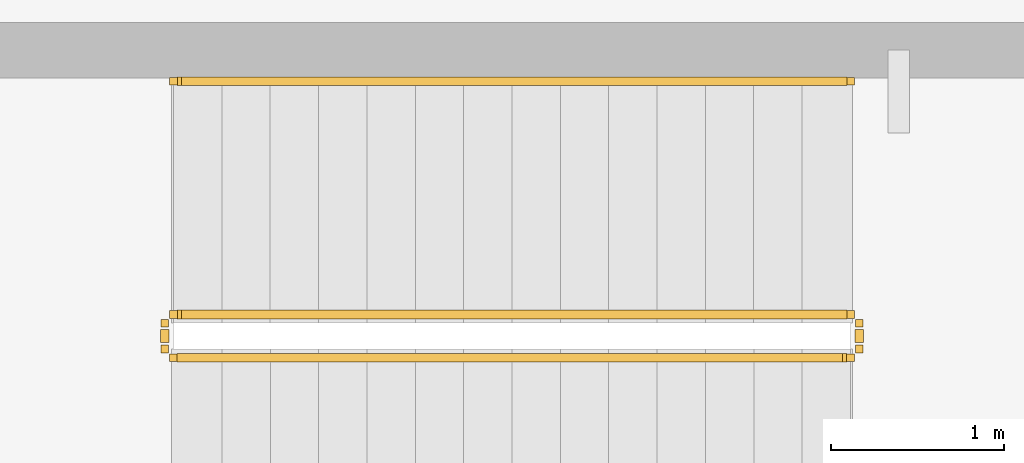
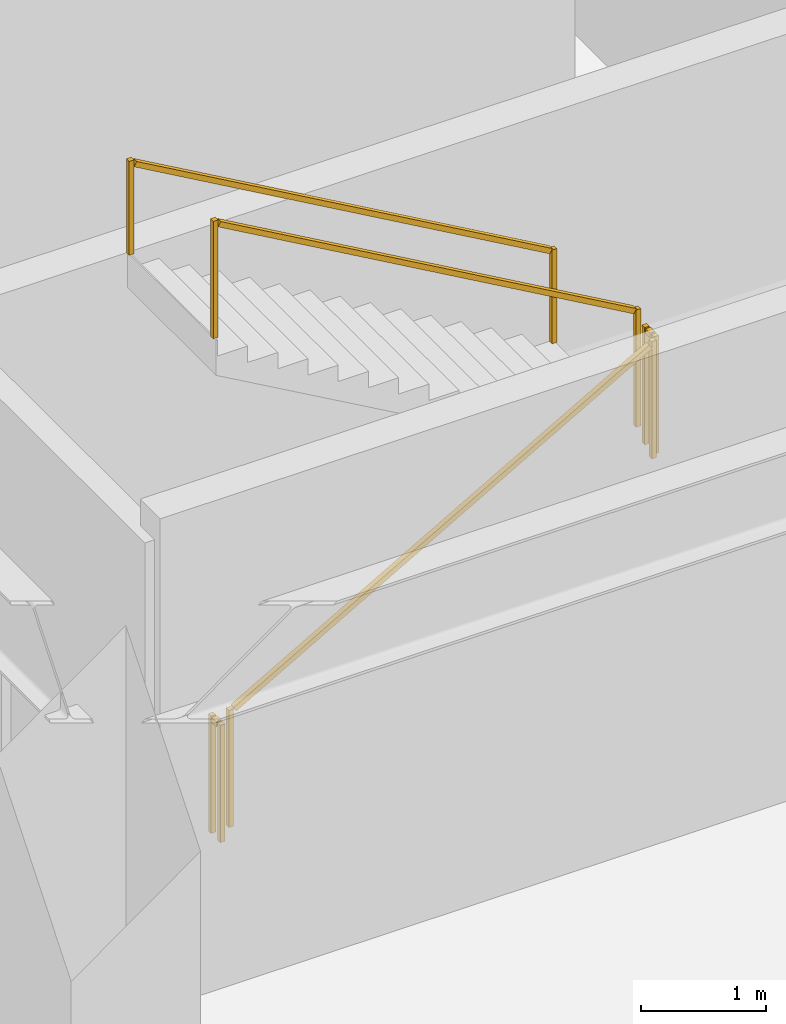
# One storey, part 13 of 13: 5 railings.
"""IFC4 building model written with IfcOpenShell, lengths in metres."""

import ifcopenshell
import ifcopenshell.guid

model = None  # the IFC model being written
_history = None  # IfcOwnerHistory: only IFC2X3 demands one
_inside = {}  # id of a spatial element -> (the spatial element, [elements in it])
_under = {}  # id of a project, library or spatial element -> (it, [spatial elements below it])
_declared = {}  # id of a project -> (the project, [libraries it declares])
_typed = {}  # id of a type object -> (the type object, [elements of that type])
_made_of = {}  # id of a material, layer set ... -> (it, [elements and type objects made of it])


def new_model(schema):
    """Start an empty IFC model of exactly this schema.

    Asked for "IFC4X3", IfcOpenShell would pick the latest addendum, in which some entities
    have other attributes; the version numbers below select the first issue.
    IFC2X3 requires an IfcOwnerHistory on every rooted entity: one is made here for all.
    """
    global model, _history
    if schema == "IFC4X3":
        model = ifcopenshell.file(schema_version=(4, 3, 0, 0))
    else:
        model = ifcopenshell.file(schema=schema)
    _inside.clear()
    _under.clear()
    _declared.clear()
    _typed.clear()
    _made_of.clear()
    _history = None
    if model.schema == "IFC2X3":
        org = make("IfcOrganization", Name="unknown")
        user = make(
            "IfcPersonAndOrganization",
            ThePerson=make("IfcPerson", FamilyName="unknown"),
            TheOrganization=org,
        )
        app = make(
            "IfcApplication",
            ApplicationDeveloper=org,
            Version="unknown",
            ApplicationFullName="unknown",
            ApplicationIdentifier="unknown",
        )
        _history = make(
            "IfcOwnerHistory",
            OwningUser=user,
            OwningApplication=app,
            ChangeAction="ADDED",
            CreationDate=0,
        )
    return model


def make(cls, **values):
    """One entity of the class cls with the attributes given. An attribute that is None is left unset."""
    return model.create_entity(
        cls, **{name: value for name, value in values.items() if value is not None}
    )


def rooted(cls, **values):
    """An entity with a GlobalId (a new one), such as an element, a storey or a relation."""
    return make(cls, GlobalId=ifcopenshell.guid.new(), OwnerHistory=_history, **values)


def si_unit(unit_type, name, prefix=None):
    """IfcSIUnit, for example si_unit("LENGTHUNIT", "METRE", prefix="MILLI")."""
    return make("IfcSIUnit", UnitType=unit_type, Prefix=prefix, Name=name)


def assignment(units):
    """IfcUnitAssignment: the units of a project."""
    return None if units is None else make("IfcUnitAssignment", Units=units)


def point(xyz):
    """IfcCartesianPoint."""
    return None if xyz is None else make("IfcCartesianPoint", Coordinates=xyz)


def direction(xyz):
    """IfcDirection."""
    return None if xyz is None else make("IfcDirection", DirectionRatios=xyz)


def frame(location, z_axis=None, x_axis=None):
    """IfcAxis2Placement3D, a coordinate frame: its origin and axes. An axis left out is left unset."""
    return make(
        "IfcAxis2Placement3D",
        Location=point(location),
        Axis=direction(z_axis),
        RefDirection=direction(x_axis),
    )


def frame_2d(location, x_axis=None):
    """IfcAxis2Placement2D, a coordinate frame in the plane: its origin and x axis."""
    return make(
        "IfcAxis2Placement2D", Location=point(location), RefDirection=direction(x_axis)
    )


def origin():
    """The frame at (0, 0, 0) with its axes left unset."""
    return frame((0.0, 0.0, 0.0))


def origin_2d():
    """The frame at (0, 0) in the plane with its x axis left unset."""
    return frame_2d((0.0, 0.0))


def place(relative_to, where):
    """IfcLocalPlacement: puts the frame where relative to a parent placement (None: the world)."""
    return make(
        "IfcLocalPlacement", PlacementRelTo=relative_to, RelativePlacement=where
    )


def context(
    kind, dimensions, precision=None, world=None, true_north=None, identifier=None
):
    """IfcGeometricRepresentationContext, for example the 3D "Model" context."""
    return make(
        "IfcGeometricRepresentationContext",
        ContextIdentifier=identifier,
        ContextType=kind,
        CoordinateSpaceDimension=dimensions,
        Precision=precision,
        WorldCoordinateSystem=world,
        TrueNorth=true_north,
    )


def subcontext(parent, identifier, kind, view, scale=None):
    """IfcGeometricRepresentationSubContext, for example "Body" below "Model"."""
    return make(
        "IfcGeometricRepresentationSubContext",
        ContextIdentifier=identifier,
        ContextType=kind,
        ParentContext=parent,
        TargetScale=scale,
        TargetView=view,
    )


def project(units=None, contexts=None):
    """IfcProject with its units and contexts."""
    return rooted(
        "IfcProject",
        Name="project",
        RepresentationContexts=contexts,
        UnitsInContext=assignment(units),
    )


def spatial(cls, under=None, at=None, **own):
    """A site, building, storey or space (cls), placed at a placement, below another one or the project."""
    s = rooted(cls, ObjectPlacement=at, **own)
    if under is not None:
        _under.setdefault(under.id(), (under, []))[1].append(s)
    return s


def profile(cls, at=None, kind="AREA", **sizes):
    """A parametric profile (cls). Its sizes go by their IFC names, for example OverallWidth=200.0."""
    return make(cls, ProfileType=kind, Position=at, **sizes)


def rectangle(**sizes):
    """IfcRectangleProfileDef."""
    return profile("IfcRectangleProfileDef", **sizes)


def extrude(swept, where, along, depth):
    """IfcExtrudedAreaSolid: the profile swept, set in the frame where, extruded along a direction by depth."""
    return make(
        "IfcExtrudedAreaSolid",
        SweptArea=swept,
        Position=where,
        ExtrudedDirection=direction(along),
        Depth=depth,
    )


def shape(context_of_items, identifier, shape_type, items):
    """IfcShapeRepresentation: the items that make up one representation, for example the "Body"."""
    return make(
        "IfcShapeRepresentation",
        ContextOfItems=context_of_items,
        RepresentationIdentifier=identifier,
        RepresentationType=shape_type,
        Items=items,
    )


def material(Name=None, Category=None):
    """IfcMaterial."""
    return make("IfcMaterial", Name=Name, Category=Category)


def made_of(thing, what):
    """Note that an element or type object is made of a material, layer set ...; save() writes the relation."""
    if what is not None:
        _made_of.setdefault(what.id(), (what, []))[1].append(thing)
    return thing


def type_object(cls, material=None, **own):
    """A type object (cls), such as IfcWallType, which elements share."""
    return made_of(rooted(cls, **own), material)


def element(
    cls,
    number,
    at=None,
    inside=None,
    cuts=None,
    type_object=None,
    material=None,
    context=None,
    identifier="Body",
    shape_type=None,
    held_by="IfcProductDefinitionShape",
    body=None,
    shapes=None,
    **own,
):
    """One element of the class cls, such as IfcWall. Its Tag is "e" and its number.

    at: its placement. inside: the storey or other place that contains it. cuts: it is an
    opening in that element (IfcRelVoidsElement). A single representation is given by context,
    identifier, shape_type and body (its items); several are given by shapes. held_by: the class
    of the entity that holds the representations. save() writes the other relations.
    """
    e = rooted(cls, Tag="e%d" % number, ObjectPlacement=at, **own)
    if body is not None:
        shapes = [shape(context, identifier, shape_type, body)]
    if shapes is not None:
        e.Representation = make(held_by, Representations=shapes)
    if inside is not None:
        _inside.setdefault(inside.id(), (inside, []))[1].append(e)
    if cuts is not None:
        rooted(
            "IfcRelVoidsElement", RelatingBuildingElement=cuts, RelatedOpeningElement=e
        )
    if type_object is not None:
        _typed.setdefault(type_object.id(), (type_object, []))[1].append(e)
    return made_of(e, material)


def aggregate(whole, parts):
    """IfcRelAggregates: a whole, such as a stair, and the parts it consists of."""
    return rooted("IfcRelAggregates", RelatingObject=whole, RelatedObjects=parts)


def save(model, path):
    """Write the relations noted so far, then the file.

    IfcRelAggregates (storeys below a building ...), IfcRelContainedInSpatialStructure (elements
    in a storey), IfcRelDefinesByType, IfcRelAssociatesMaterial and IfcRelDeclares: one each for
    every whole, place, type object, material and project.
    """
    for whole, parts in _under.values():
        aggregate(whole, parts)
    for where, things in _inside.values():
        rooted(
            "IfcRelContainedInSpatialStructure",
            RelatedElements=things,
            RelatingStructure=where,
        )
    for kind, things in _typed.values():
        rooted("IfcRelDefinesByType", RelatedObjects=things, RelatingType=kind)
    for what, things in _made_of.values():
        rooted("IfcRelAssociatesMaterial", RelatedObjects=things, RelatingMaterial=what)
    for by, libraries in _declared.values():
        rooted("IfcRelDeclares", RelatingContext=by, RelatedDefinitions=libraries)
    model.write(path)


model = new_model("IFC4")

# Units and contexts
model_context = context("Model", 3, precision=1e-05, world=origin(), true_north=direction((0.0, 1.0)))
body_context = subcontext(model_context, "Body", "Model", "MODEL_VIEW")
ifc_project = project(units=[si_unit("LENGTHUNIT", "METRE"), si_unit("AREAUNIT", "SQUARE_METRE"), si_unit("VOLUMEUNIT", "CUBIC_METRE"), si_unit("PLANEANGLEUNIT", "RADIAN"), si_unit("MASSUNIT", "GRAM", prefix="KILO")], contexts=[model_context])

# Site, building, storey
site_placement = place(None, origin())
site = spatial("IfcSite", under=ifc_project, at=site_placement, CompositionType="ELEMENT")
building_placement = place(site_placement, origin())
building = spatial("IfcBuilding", under=site, at=building_placement, Name="Yunling Apex Tower", CompositionType="ELEMENT")
storey_placement = place(building_placement, frame((0.0, 0.0, -4.800048828125)))
storey = spatial("IfcBuildingStorey", under=building, at=storey_placement, Name="B01", CompositionType="ELEMENT", Elevation=-4.800048828125)

# Railings
ifc_material_1 = material(Name="Steel Q355B", Category="steel")
railing_type_1 = type_object("IfcRailingType", Name="RL-GRD-1150", PredefinedType="GUARDRAIL", material=ifc_material_1)
railing_1_placement = place(storey_placement, frame((25.35009765625, 17.0, 0.16015625)))
element("IfcRailing", 1, at=railing_1_placement, inside=storey, type_object=railing_type_1, Name="B01 ST-P2 stair guard 1", PredefinedType="GUARDRAIL", context=body_context, shape_type="SweptSolid", body=[
    extrude(rectangle(XDim=0.0439453125, YDim=0.0439453125, at=origin_2d()), origin(), (0.0, 0.0, 1.0), 1.14990234375),
    extrude(rectangle(XDim=0.0439453125, YDim=0.0439453125, at=origin_2d()), frame((3.919921875, 0.0, 2.239990234375)), (0.0, 0.0, 1.0), 1.14990234375),
    extrude(rectangle(XDim=0.050048828125, YDim=0.050048828125, at=origin_2d()), frame((0.033203125, 0.0, 1.143798828125), z_axis=(0.868239814368, 0.0, 0.496144761885), x_axis=(0.0, 1.0, 0.0)), (0.0, 0.0, 1.0), 4.438232421875),
])
railing_2_placement = place(storey_placement, frame((29.320068359375, 17.050048828125, 2.400146484375)))
element("IfcRailing", 2, at=railing_2_placement, inside=storey, type_object=railing_type_1, Name="B01 ST-P2 stair guard 2", PredefinedType="GUARDRAIL", context=body_context, shape_type="SweptSolid", body=[
    extrude(rectangle(XDim=0.0439453125, YDim=0.0439453125, at=origin_2d()), origin(), (0.0, 0.0, 1.0), 1.14990234375),
    extrude(rectangle(XDim=0.0439453125, YDim=0.0439453125, at=origin_2d()), frame((0.0, 0.14990234375, 0.0)), (0.0, 0.0, 1.0), 1.14990234375),
    extrude(rectangle(XDim=0.050048828125, YDim=0.050048828125, at=origin_2d()), frame((0.0, 0.038330078125, 1.125), z_axis=(0.0, 1.0, 0.0), x_axis=(-1.0, 0.0, 0.0)), (0.0, 0.0, 1.0), 0.0732421875),
])
railing_3_placement = place(storey_placement, frame((29.27001953125, 17.25, 2.56005859375)))
element("IfcRailing", 3, at=railing_3_placement, inside=storey, type_object=railing_type_1, Name="B01 ST-P2 stair guard 3", PredefinedType="GUARDRAIL", context=body_context, shape_type="SweptSolid", body=[
    extrude(rectangle(XDim=0.0439453125, YDim=0.0439453125, at=origin_2d()), origin(), (0.0, 0.0, 1.0), 1.14990234375),
    extrude(rectangle(XDim=0.0439453125, YDim=0.0439453125, at=origin_2d()), frame((-3.919921875, 0.0, 2.239990234375)), (0.0, 0.0, 1.0), 1.14990234375),
    extrude(rectangle(XDim=0.050048828125, YDim=0.050048828125, at=origin_2d()), frame((-0.033203125, 0.0, 1.143798828125), z_axis=(-0.868239814368, 0.0, 0.496144761885), x_axis=(0.0, -1.0, 0.0)), (0.0, 0.0, 1.0), 4.438232421875),
])
railing_4_placement = place(storey_placement, frame((25.300048828125, 17.050048828125, 0.0)))
element("IfcRailing", 4, at=railing_4_placement, inside=storey, type_object=railing_type_1, Name="B01 ST-P2 stair guard 4", PredefinedType="GUARDRAIL", context=body_context, shape_type="SweptSolid", body=[
    extrude(rectangle(XDim=0.0439453125, YDim=0.0439453125, at=origin_2d()), origin(), (0.0, 0.0, 1.0), 1.14990234375),
    extrude(rectangle(XDim=0.0439453125, YDim=0.0439453125, at=origin_2d()), frame((0.0, 0.14990234375, 0.0)), (0.0, 0.0, 1.0), 1.14990234375),
    extrude(rectangle(XDim=0.050048828125, YDim=0.050048828125, at=origin_2d()), frame((0.0, 0.038330078125, 1.125), z_axis=(0.0, 1.0, 0.0), x_axis=(-1.0, 0.0, 0.0)), (0.0, 0.0, 1.0), 0.0732421875),
])
ifc_material_2 = material(Name="Silver anodised aluminium", Category="aluminium")
railing_type_2 = type_object("IfcRailingType", Name="RL-HND-900", PredefinedType="HANDRAIL", material=ifc_material_2)
railing_5_placement = place(storey_placement, frame((29.27001953125, 18.60009765625, 2.56005859375)))
element("IfcRailing", 5, at=railing_5_placement, inside=storey, type_object=railing_type_2, Name="B01 ST-P2 stair handrail 2", PredefinedType="HANDRAIL", context=body_context, shape_type="SweptSolid", body=[
    extrude(rectangle(XDim=0.0439453125, YDim=0.0439453125, at=origin_2d()), origin(), (0.0, 0.0, 1.0), 0.919921875),
    extrude(rectangle(XDim=0.0439453125, YDim=0.0439453125, at=origin_2d()), frame((-3.919921875, 0.0, 2.239990234375)), (0.0, 0.0, 1.0), 0.919921875),
    extrude(rectangle(XDim=0.050048828125, YDim=0.050048828125, at=origin_2d()), frame((-0.033203125, 0.0, 0.913818359375), z_axis=(-0.868239814368, 0.0, 0.496144761885), x_axis=(0.0, -1.0, 0.0)), (0.0, 0.0, 1.0), 4.438232421875),
])

save(model, "model.ifc")
